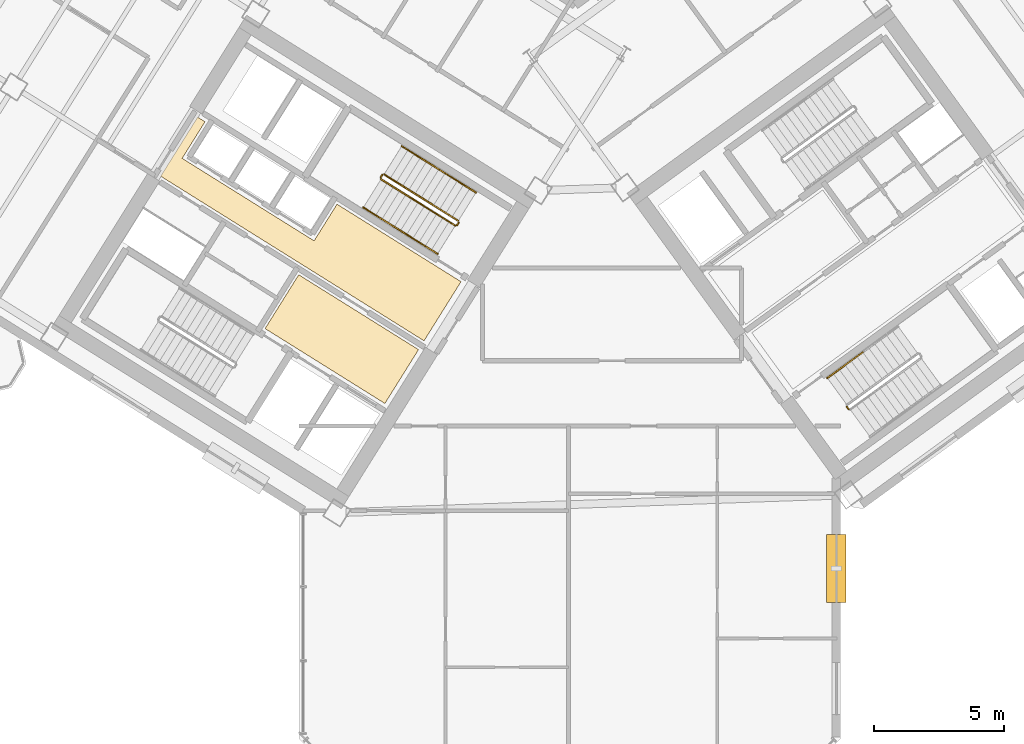
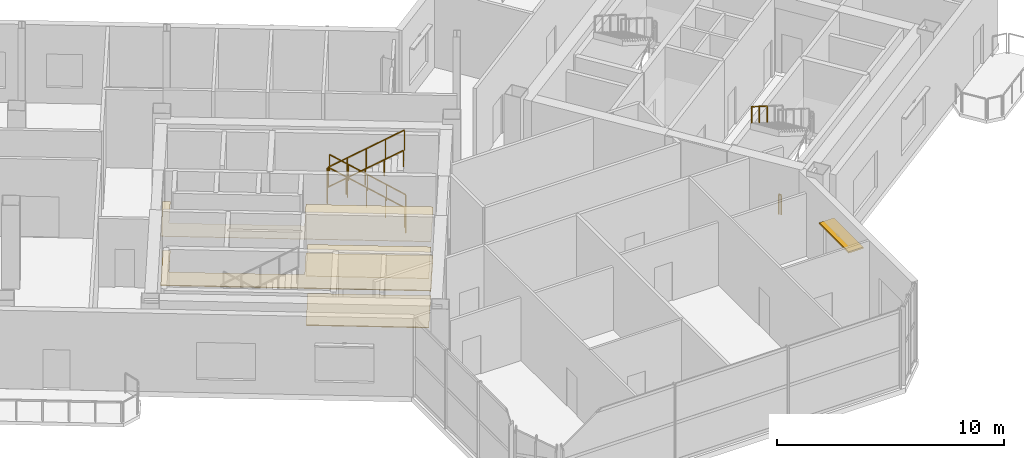
# One storey, part 18 of 20: 10 railings, 4 coverings, 1 shading device.
"""IFC4 building model written with IfcOpenShell, lengths in metres."""

import ifcopenshell
import ifcopenshell.guid

model = None  # the IFC model being written
_history = None  # IfcOwnerHistory: only IFC2X3 demands one
_inside = {}  # id of a spatial element -> (the spatial element, [elements in it])
_under = {}  # id of a project, library or spatial element -> (it, [spatial elements below it])
_declared = {}  # id of a project -> (the project, [libraries it declares])
_typed = {}  # id of a type object -> (the type object, [elements of that type])
_made_of = {}  # id of a material, layer set ... -> (it, [elements and type objects made of it])


def new_model(schema):
    """Start an empty IFC model of exactly this schema.

    Asked for "IFC4X3", IfcOpenShell would pick the latest addendum, in which some entities
    have other attributes; the version numbers below select the first issue.
    IFC2X3 requires an IfcOwnerHistory on every rooted entity: one is made here for all.
    """
    global model, _history
    if schema == "IFC4X3":
        model = ifcopenshell.file(schema_version=(4, 3, 0, 0))
    else:
        model = ifcopenshell.file(schema=schema)
    _inside.clear()
    _under.clear()
    _declared.clear()
    _typed.clear()
    _made_of.clear()
    _history = None
    if model.schema == "IFC2X3":
        org = make("IfcOrganization", Name="unknown")
        user = make(
            "IfcPersonAndOrganization",
            ThePerson=make("IfcPerson", FamilyName="unknown"),
            TheOrganization=org,
        )
        app = make(
            "IfcApplication",
            ApplicationDeveloper=org,
            Version="unknown",
            ApplicationFullName="unknown",
            ApplicationIdentifier="unknown",
        )
        _history = make(
            "IfcOwnerHistory",
            OwningUser=user,
            OwningApplication=app,
            ChangeAction="ADDED",
            CreationDate=0,
        )
    return model


def make(cls, **values):
    """One entity of the class cls with the attributes given. An attribute that is None is left unset."""
    return model.create_entity(
        cls, **{name: value for name, value in values.items() if value is not None}
    )


def rooted(cls, **values):
    """An entity with a GlobalId (a new one), such as an element, a storey or a relation."""
    return make(cls, GlobalId=ifcopenshell.guid.new(), OwnerHistory=_history, **values)


def si_unit(unit_type, name, prefix=None):
    """IfcSIUnit, for example si_unit("LENGTHUNIT", "METRE", prefix="MILLI")."""
    return make("IfcSIUnit", UnitType=unit_type, Prefix=prefix, Name=name)


def assignment(units):
    """IfcUnitAssignment: the units of a project."""
    return None if units is None else make("IfcUnitAssignment", Units=units)


def point(xyz):
    """IfcCartesianPoint."""
    return None if xyz is None else make("IfcCartesianPoint", Coordinates=xyz)


def direction(xyz):
    """IfcDirection."""
    return None if xyz is None else make("IfcDirection", DirectionRatios=xyz)


def frame(location, z_axis=None, x_axis=None):
    """IfcAxis2Placement3D, a coordinate frame: its origin and axes. An axis left out is left unset."""
    return make(
        "IfcAxis2Placement3D",
        Location=point(location),
        Axis=direction(z_axis),
        RefDirection=direction(x_axis),
    )


def frame_2d(location, x_axis=None):
    """IfcAxis2Placement2D, a coordinate frame in the plane: its origin and x axis."""
    return make(
        "IfcAxis2Placement2D", Location=point(location), RefDirection=direction(x_axis)
    )


def origin():
    """The frame at (0, 0, 0) with its axes left unset."""
    return frame((0.0, 0.0, 0.0))


def origin_2d():
    """The frame at (0, 0) in the plane with its x axis left unset."""
    return frame_2d((0.0, 0.0))


def place(relative_to, where):
    """IfcLocalPlacement: puts the frame where relative to a parent placement (None: the world)."""
    return make(
        "IfcLocalPlacement", PlacementRelTo=relative_to, RelativePlacement=where
    )


def context(
    kind, dimensions, precision=None, world=None, true_north=None, identifier=None
):
    """IfcGeometricRepresentationContext, for example the 3D "Model" context."""
    return make(
        "IfcGeometricRepresentationContext",
        ContextIdentifier=identifier,
        ContextType=kind,
        CoordinateSpaceDimension=dimensions,
        Precision=precision,
        WorldCoordinateSystem=world,
        TrueNorth=true_north,
    )


def subcontext(parent, identifier, kind, view, scale=None):
    """IfcGeometricRepresentationSubContext, for example "Body" below "Model"."""
    return make(
        "IfcGeometricRepresentationSubContext",
        ContextIdentifier=identifier,
        ContextType=kind,
        ParentContext=parent,
        TargetScale=scale,
        TargetView=view,
    )


def project(units=None, contexts=None):
    """IfcProject with its units and contexts."""
    return rooted(
        "IfcProject",
        Name="project",
        RepresentationContexts=contexts,
        UnitsInContext=assignment(units),
    )


def spatial(cls, under=None, at=None, **own):
    """A site, building, storey or space (cls), placed at a placement, below another one or the project."""
    s = rooted(cls, ObjectPlacement=at, **own)
    if under is not None:
        _under.setdefault(under.id(), (under, []))[1].append(s)
    return s


def polyline(points):
    """IfcPolyline through the points."""
    return make("IfcPolyline", Points=[point(p) for p in points])


def profile(cls, at=None, kind="AREA", **sizes):
    """A parametric profile (cls). Its sizes go by their IFC names, for example OverallWidth=200.0."""
    return make(cls, ProfileType=kind, Position=at, **sizes)


def rectangle(**sizes):
    """IfcRectangleProfileDef."""
    return profile("IfcRectangleProfileDef", **sizes)


def outline(outer, holes=None, kind="AREA"):
    """IfcArbitraryClosedProfileDef: a profile drawn as a closed curve; with holes, ...WithVoids."""
    if holes is None:
        return make("IfcArbitraryClosedProfileDef", ProfileType=kind, OuterCurve=outer)
    return make(
        "IfcArbitraryProfileDefWithVoids",
        ProfileType=kind,
        OuterCurve=outer,
        InnerCurves=holes,
    )


def extrude(swept, where, along, depth):
    """IfcExtrudedAreaSolid: the profile swept, set in the frame where, extruded along a direction by depth."""
    return make(
        "IfcExtrudedAreaSolid",
        SweptArea=swept,
        Position=where,
        ExtrudedDirection=direction(along),
        Depth=depth,
    )


def shape(context_of_items, identifier, shape_type, items):
    """IfcShapeRepresentation: the items that make up one representation, for example the "Body"."""
    return make(
        "IfcShapeRepresentation",
        ContextOfItems=context_of_items,
        RepresentationIdentifier=identifier,
        RepresentationType=shape_type,
        Items=items,
    )


def source(mapping_origin, context_of_items, identifier, shape_type, items):
    """IfcRepresentationMap: a shape defined once, which mapped items show again and again."""
    return make(
        "IfcRepresentationMap",
        MappingOrigin=mapping_origin,
        MappedRepresentation=shape(context_of_items, identifier, shape_type, items),
    )


def transform(
    local_origin,
    x_axis=None,
    y_axis=None,
    z_axis=None,
    scale=None,
    scale2=None,
    scale3=None,
    uniform=True,
):
    """IfcCartesianTransformationOperator3D, or its non-uniform kind. x_axis, y_axis, z_axis: its Axis1, 2, 3."""
    if uniform:
        return make(
            "IfcCartesianTransformationOperator3D",
            Axis1=direction(x_axis),
            Axis2=direction(y_axis),
            LocalOrigin=point(local_origin),
            Scale=scale,
            Axis3=direction(z_axis),
        )
    return make(
        "IfcCartesianTransformationOperator3DnonUniform",
        Axis1=direction(x_axis),
        Axis2=direction(y_axis),
        LocalOrigin=point(local_origin),
        Scale=scale,
        Axis3=direction(z_axis),
        Scale2=scale2,
        Scale3=scale3,
    )


def mapped(mapping_source, mapping_target):
    """IfcMappedItem: shows the shape of a source again, moved by a transform."""
    return make(
        "IfcMappedItem", MappingSource=mapping_source, MappingTarget=mapping_target
    )


def material(Name=None, Category=None):
    """IfcMaterial."""
    return make("IfcMaterial", Name=Name, Category=Category)


def layer(
    of_material, thickness, ventilated=None, Name=None, Category=None, Priority=None
):
    """IfcMaterialLayer: one layer of a wall or slab, of a material (None: an air gap)."""
    return make(
        "IfcMaterialLayer",
        Material=of_material,
        LayerThickness=thickness,
        IsVentilated=ventilated,
        Name=Name,
        Category=Category,
        Priority=Priority,
    )


def layer_set(layers, Name=None):
    """IfcMaterialLayerSet."""
    return make("IfcMaterialLayerSet", MaterialLayers=layers, LayerSetName=Name)


def made_of(thing, what):
    """Note that an element or type object is made of a material, layer set ...; save() writes the relation."""
    if what is not None:
        _made_of.setdefault(what.id(), (what, []))[1].append(thing)
    return thing


def type_object(cls, material=None, **own):
    """A type object (cls), such as IfcWallType, which elements share."""
    return made_of(rooted(cls, **own), material)


def element(
    cls,
    number,
    at=None,
    inside=None,
    cuts=None,
    type_object=None,
    material=None,
    context=None,
    identifier="Body",
    shape_type=None,
    held_by="IfcProductDefinitionShape",
    body=None,
    shapes=None,
    **own,
):
    """One element of the class cls, such as IfcWall. Its Tag is "e" and its number.

    at: its placement. inside: the storey or other place that contains it. cuts: it is an
    opening in that element (IfcRelVoidsElement). A single representation is given by context,
    identifier, shape_type and body (its items); several are given by shapes. held_by: the class
    of the entity that holds the representations. save() writes the other relations.
    """
    e = rooted(cls, Tag="e%d" % number, ObjectPlacement=at, **own)
    if body is not None:
        shapes = [shape(context, identifier, shape_type, body)]
    if shapes is not None:
        e.Representation = make(held_by, Representations=shapes)
    if inside is not None:
        _inside.setdefault(inside.id(), (inside, []))[1].append(e)
    if cuts is not None:
        rooted(
            "IfcRelVoidsElement", RelatingBuildingElement=cuts, RelatedOpeningElement=e
        )
    if type_object is not None:
        _typed.setdefault(type_object.id(), (type_object, []))[1].append(e)
    return made_of(e, material)


def aggregate(whole, parts):
    """IfcRelAggregates: a whole, such as a stair, and the parts it consists of."""
    return rooted("IfcRelAggregates", RelatingObject=whole, RelatedObjects=parts)


def save(model, path):
    """Write the relations noted so far, then the file.

    IfcRelAggregates (storeys below a building ...), IfcRelContainedInSpatialStructure (elements
    in a storey), IfcRelDefinesByType, IfcRelAssociatesMaterial and IfcRelDeclares: one each for
    every whole, place, type object, material and project.
    """
    for whole, parts in _under.values():
        aggregate(whole, parts)
    for where, things in _inside.values():
        rooted(
            "IfcRelContainedInSpatialStructure",
            RelatedElements=things,
            RelatingStructure=where,
        )
    for kind, things in _typed.values():
        rooted("IfcRelDefinesByType", RelatedObjects=things, RelatingType=kind)
    for what, things in _made_of.values():
        rooted("IfcRelAssociatesMaterial", RelatedObjects=things, RelatingMaterial=what)
    for by, libraries in _declared.values():
        rooted("IfcRelDeclares", RelatingContext=by, RelatedDefinitions=libraries)
    model.write(path)


model = new_model("IFC4")

# Units and contexts
model_context = context("Model", 3, precision=1e-05, world=origin(), true_north=direction((0.0, 1.0)))
body_context = subcontext(model_context, "Body", "Model", "MODEL_VIEW")
ifc_project = project(units=[si_unit("LENGTHUNIT", "METRE"), si_unit("AREAUNIT", "SQUARE_METRE"), si_unit("VOLUMEUNIT", "CUBIC_METRE"), si_unit("PLANEANGLEUNIT", "RADIAN"), si_unit("MASSUNIT", "GRAM", prefix="KILO")], contexts=[model_context])

# Site, building, storey
site_placement = place(None, origin())
site = spatial("IfcSite", under=ifc_project, at=site_placement, CompositionType="ELEMENT")
building_placement = place(site_placement, origin())
building = spatial("IfcBuilding", under=site, at=building_placement, Name="Tlacorven Tower", CompositionType="ELEMENT")
storey_placement = place(building_placement, frame((0.0, 0.0, 195.0)))
storey = spatial("IfcBuildingStorey", under=building, at=storey_placement, Name="L49", CompositionType="ELEMENT", Elevation=195.0)

# Coverings
ifc_material_1 = material(Name="Acoustic mineral-fibre ceiling")
ifc_layer_1 = layer(ifc_material_1, 0.02490234375)
ifc_layer_set_1 = layer_set([ifc_layer_1], Name="Acoustic mineral-fibre ceiling")
covering_type_1 = type_object("IfcCoveringType", Name="CV-CLG-ACST", PredefinedType="CEILING", material=ifc_layer_set_1)
covering_1_placement = place(storey_placement, frame((0.0, 0.0, 2.64990234375)))
element("IfcCovering", 1, at=covering_1_placement, inside=storey, type_object=covering_type_1, Name="L49 Acoustic Suspended Ceiling 1", PredefinedType="CEILING", context=body_context, shape_type="SweptSolid", body=[
    extrude(outline(polyline([(36.185302734375, 18.35595703125), (34.892333984375, 16.286865234375), (30.287353515625, 19.164306640625), (31.580322265625, 21.2333984375), (36.185302734375, 18.35595703125)])), origin(), (0.0, 0.0, 1.0), 0.025146484375),
])
covering_2_placement = place(storey_placement, frame((0.0, 0.0, 2.64990234375)))
element("IfcCovering", 2, at=covering_2_placement, inside=storey, type_object=covering_type_1, Name="L49 Acoustic Suspended Ceiling 2", PredefinedType="CEILING", context=body_context, shape_type="SweptSolid", body=[
    extrude(outline(polyline([(37.8173828125, 20.968017578125), (36.397216796875, 18.6953125), (26.271484375, 25.0224609375), (27.691650390625, 27.295166015625), (27.97998046875, 27.114990234375), (27.100341796875, 25.707275390625), (32.171630859375, 22.538330078125), (33.05126953125, 23.946044921875), (37.8173828125, 20.968017578125)])), origin(), (0.0, 0.0, 1.0), 0.025146484375),
])
ifc_material_2 = material(Name="Terrazzo and ceramic flooring")
ifc_layer_2 = layer(ifc_material_2, 0.0400390625)
ifc_layer_set_2 = layer_set([ifc_layer_2], Name="Terrazzo and ceramic flooring")
covering_type_2 = type_object("IfcCoveringType", Name="CV-FLR-TERZ", PredefinedType="FLOORING", material=ifc_layer_set_2)
covering_3_placement = place(storey_placement, origin())
element("IfcCovering", 3, at=covering_3_placement, inside=storey, type_object=covering_type_2, Name="L49 Terrazzo Floor Finish 1", PredefinedType="FLOORING", context=body_context, shape_type="SweptSolid", body=[
    extrude(outline(polyline([(36.185302734375, 18.35595703125), (34.892333984375, 16.286865234375), (30.287353515625, 19.164306640625), (31.580322265625, 21.2333984375), (36.185302734375, 18.35595703125)])), origin(), (0.0, 0.0, 1.0), 0.0400390625),
])
covering_4_placement = place(storey_placement, origin())
element("IfcCovering", 4, at=covering_4_placement, inside=storey, type_object=covering_type_2, Name="L49 Terrazzo Floor Finish 2", PredefinedType="FLOORING", context=body_context, shape_type="SweptSolid", body=[
    extrude(outline(polyline([(37.8173828125, 20.968017578125), (36.397216796875, 18.6953125), (26.271484375, 25.0224609375), (27.691650390625, 27.295166015625), (27.97998046875, 27.114990234375), (27.100341796875, 25.707275390625), (32.171630859375, 22.538330078125), (33.05126953125, 23.946044921875), (37.8173828125, 20.968017578125)])), origin(), (0.0, 0.0, 1.0), 0.0400390625),
])

# Shading device
ifc_material_3 = material(Name="Anodised bronze aluminium sunshade", Category="aluminium")
ifc_layer_3 = layer(ifc_material_3, 0.080078125)
ifc_layer_set_3 = layer_set([ifc_layer_3], Name="Anodised bronze aluminium sunshade")
shading_device_type = type_object("IfcShadingDeviceType", Name="SH-SUN-BRZ", PredefinedType="AWNING", material=ifc_layer_set_3)
shared_shape_1 = source(origin(), body_context, "Body", "SweptSolid", [
    extrude(rectangle(XDim=2.60009765625, YDim=0.75, at=origin_2d()), origin(), (0.0, 0.0, 1.0), 0.080078125),
])
shading_device_placement = place(storey_placement, frame((52.239990234375, 9.946533203125, 2.719970703125), z_axis=(0.0, 0.0, 1.0), x_axis=(0.0, -1.0, 0.0)))
element("IfcShadingDevice", 5, at=shading_device_placement, inside=storey, type_object=shading_device_type, Name="L49 Solar Brise-Soleil Sunshade L49-07.1", PredefinedType="AWNING", context=body_context, shape_type="MappedRepresentation", body=[
    mapped(shared_shape_1, transform((0.0, 0.0, 0.0), scale=1.0)),
])

# Railings
ifc_material_4 = material(Name="Aluminium and painted steel balustrade", Category="steel")
railing_type_1 = type_object("IfcRailingType", Name="RL-GRD-1100", PredefinedType="GUARDRAIL", material=ifc_material_4)
shared_shape_2 = source(origin(), body_context, "Body", "SweptSolid", [
    extrude(rectangle(XDim=0.048095703125, YDim=0.048095703125, at=origin_2d()), frame((0.0, 0.0, 1.076171875), z_axis=(-0.530546985787, -0.847655529016, 0.0), x_axis=(0.847655529016, -0.530546985787, 0.0)), (0.0, 0.0, 1.0), 0.1201171875),
    extrude(rectangle(XDim=0.0419921875, YDim=0.0419921875, at=origin_2d()), origin(), (0.0, 0.0, 1.0), 1.052001953125),
    extrude(rectangle(XDim=0.0419921875, YDim=0.0419921875, at=origin_2d()), frame((-0.063720703125, -0.101806640625, 0.0)), (0.0, 0.0, 1.0), 1.052001953125),
])
for number, where, name in (
    (6, (34.7939453125, 25.07421875, 2.25), "L49 ST-W2 stair guard 2"),
    (7, (37.728271484375, 23.24072265625, 0.0), "L49 ST-W2 stair guard 4"),
):
    element("IfcRailing", number, at=place(storey_placement, frame(where)), inside=storey, type_object=railing_type_1, Name=name, PredefinedType="GUARDRAIL", context=body_context, shape_type="MappedRepresentation", body=[
        mapped(shared_shape_2, transform((0.0, 0.0, 0.0), scale=1.0)),
    ])
shared_shape_3 = source(origin(), body_context, "Body", "SweptSolid", [
    extrude(rectangle(XDim=0.048095703125, YDim=0.048095703125, at=origin_2d()), frame((0.0, 0.0, 1.076171875), z_axis=(-0.721354668439, 0.45076168254, 0.525795918465), x_axis=(-0.529927092104, -0.84804320471, 0.0)), (0.0, 0.0, 1.0), 3.949951171875),
    extrude(rectangle(XDim=0.0419921875, YDim=0.0419921875, at=origin_2d()), origin(), (0.0, 0.0, 1.0), 1.052001953125),
    extrude(rectangle(XDim=0.0419921875, YDim=0.0419921875, at=origin_2d()), frame((-0.71240234375, 0.445068359375, 0.519287109375)), (0.0, 0.0, 1.0), 1.052001953125),
    extrude(rectangle(XDim=0.0419921875, YDim=0.0419921875, at=origin_2d()), frame((-1.4248046875, 0.89013671875, 1.03857421875)), (0.0, 0.0, 1.0), 1.052001953125),
    extrude(rectangle(XDim=0.0419921875, YDim=0.0419921875, at=origin_2d()), frame((-2.136962890625, 1.33544921875, 1.5576171875)), (0.0, 0.0, 1.0), 1.052001953125),
    extrude(rectangle(XDim=0.0419921875, YDim=0.0419921875, at=origin_2d()), frame((-2.849365234375, 1.780517578125, 2.076904296875)), (0.0, 0.0, 1.0), 1.052001953125),
])
railing_1_placement = place(storey_placement, frame((37.712158203125, 23.3095703125, 0.173095703125)))
element("IfcRailing", 8, at=railing_1_placement, inside=storey, type_object=railing_type_1, Name="L49 ST-W2 stair guard 1", PredefinedType="GUARDRAIL", context=body_context, shape_type="MappedRepresentation", body=[
    mapped(shared_shape_3, transform((0.0, 0.0, 0.0), scale=1.0)),
])
railing_type_2 = type_object("IfcRailingType", Name="RL-HND-0900", PredefinedType="HANDRAIL", material=ifc_material_4)
shared_shape_4 = source(origin(), body_context, "Body", "SweptSolid", [
    extrude(rectangle(XDim=0.048095703125, YDim=0.048095703125, at=origin_2d()), frame((0.0, 0.0, 0.8759765625), z_axis=(0.721340775611, -0.4507761838, 0.52580254617), x_axis=(0.529946692594, 0.848030956397, 0.0)), (0.0, 0.0, 1.0), 1.97509765625),
    extrude(rectangle(XDim=0.0419921875, YDim=0.0419921875, at=origin_2d()), origin(), (0.0, 0.0, 1.0), 0.851806640625),
    extrude(rectangle(XDim=0.0419921875, YDim=0.0419921875, at=origin_2d()), frame((0.71240234375, -0.4453125, 0.519287109375)), (0.0, 0.0, 1.0), 0.851806640625),
    extrude(rectangle(XDim=0.0419921875, YDim=0.0419921875, at=origin_2d()), frame((1.4248046875, -0.890380859375, 1.03857421875)), (0.0, 0.0, 1.0), 0.851806640625),
])
railing_2_placement = place(storey_placement, frame((35.49267578125, 22.927734375, 3.46142578125)))
element("IfcRailing", 9, at=railing_2_placement, inside=storey, type_object=railing_type_2, Name="L49 ST-W2 stair handrail 4", PredefinedType="HANDRAIL", context=body_context, shape_type="MappedRepresentation", body=[
    mapped(shared_shape_4, transform((0.0, 0.0, 0.0), scale=1.0)),
])
shared_shape_5 = source(origin(), body_context, "Body", "SweptSolid", [
    extrude(rectangle(XDim=0.048095703125, YDim=0.048095703125, at=origin_2d()), frame((0.0, 0.0, 0.8759765625), z_axis=(-0.721387654753, 0.450805479247, 0.525713107551), x_axis=(-0.529946692594, -0.848030956397, 0.0)), (0.0, 0.0, 1.0), 1.97509765625),
    extrude(rectangle(XDim=0.0419921875, YDim=0.0419921875, at=origin_2d()), origin(), (0.0, 0.0, 1.0), 0.851806640625),
    extrude(rectangle(XDim=0.0419921875, YDim=0.0419921875, at=origin_2d()), frame((-0.71240234375, 0.4453125, 0.51904296875)), (0.0, 0.0, 1.0), 0.851806640625),
    extrude(rectangle(XDim=0.0419921875, YDim=0.0419921875, at=origin_2d()), frame((-1.4248046875, 0.890380859375, 1.038330078125)), (0.0, 0.0, 1.0), 0.851806640625),
])
railing_3_placement = place(storey_placement, frame((38.390625, 24.39501953125, 0.173095703125)))
element("IfcRailing", 10, at=railing_3_placement, inside=storey, type_object=railing_type_2, Name="L49 ST-W2 stair handrail 1", PredefinedType="HANDRAIL", context=body_context, shape_type="MappedRepresentation", body=[
    mapped(shared_shape_5, transform((0.0, 0.0, 0.0), scale=1.0)),
])
shared_shape_6 = source(origin(), body_context, "Body", "SweptSolid", [
    extrude(rectangle(XDim=0.048095703125, YDim=0.048095703125, at=origin_2d()), frame((0.0, 0.0, 0.8759765625), z_axis=(-0.721380964259, 0.45067768946, 0.525831840637), x_axis=(-0.52984217967, -0.848096259066, 0.0)), (0.0, 0.0, 1.0), 1.97509765625),
    extrude(rectangle(XDim=0.0419921875, YDim=0.0419921875, at=origin_2d()), origin(), (0.0, 0.0, 1.0), 0.851806640625),
    extrude(rectangle(XDim=0.0419921875, YDim=0.0419921875, at=origin_2d()), frame((-0.71240234375, 0.445068359375, 0.519287109375)), (0.0, 0.0, 1.0), 0.851806640625),
    extrude(rectangle(XDim=0.0419921875, YDim=0.0419921875, at=origin_2d()), frame((-1.4248046875, 0.89013671875, 1.03857421875)), (0.0, 0.0, 1.0), 0.851806640625),
])
railing_4_placement = place(storey_placement, frame((36.9658203125, 25.285400390625, 1.21142578125)))
element("IfcRailing", 11, at=railing_4_placement, inside=storey, type_object=railing_type_2, Name="L49 ST-W2 stair handrail 2", PredefinedType="HANDRAIL", context=body_context, shape_type="MappedRepresentation", body=[
    mapped(shared_shape_6, transform((0.0, 0.0, 0.0), scale=1.0)),
])
shared_shape_7 = source(origin(), body_context, "Body", "SweptSolid", [
    extrude(rectangle(XDim=0.048095703125, YDim=0.048095703125, at=origin_2d()), frame((0.0, 0.0, 1.076171875), z_axis=(0.721354668439, -0.45076168254, 0.525795918465), x_axis=(0.529927092104, 0.84804320471, 0.0)), (0.0, 0.0, 1.0), 3.949951171875),
    extrude(rectangle(XDim=0.0419921875, YDim=0.0419921875, at=origin_2d()), origin(), (0.0, 0.0, 1.0), 1.052001953125),
    extrude(rectangle(XDim=0.0419921875, YDim=0.0419921875, at=origin_2d()), frame((0.71240234375, -0.445068359375, 0.519287109375)), (0.0, 0.0, 1.0), 1.052001953125),
    extrude(rectangle(XDim=0.0419921875, YDim=0.0419921875, at=origin_2d()), frame((1.4248046875, -0.89013671875, 1.03857421875)), (0.0, 0.0, 1.0), 1.052001953125),
    extrude(rectangle(XDim=0.0419921875, YDim=0.0419921875, at=origin_2d()), frame((2.136962890625, -1.33544921875, 1.5576171875)), (0.0, 0.0, 1.0), 1.052001953125),
    extrude(rectangle(XDim=0.0419921875, YDim=0.0419921875, at=origin_2d()), frame((2.849365234375, -1.780517578125, 2.076904296875)), (0.0, 0.0, 1.0), 1.052001953125),
])
railing_5_placement = place(storey_placement, frame((34.746337890625, 24.903564453125, 2.423095703125)))
element("IfcRailing", 12, at=railing_5_placement, inside=storey, type_object=railing_type_1, Name="L49 ST-W2 stair guard 3", PredefinedType="GUARDRAIL", context=body_context, shape_type="MappedRepresentation", body=[
    mapped(shared_shape_7, transform((0.0, 0.0, 0.0), scale=1.0)),
])
shared_shape_8 = source(origin(), body_context, "Body", "SweptSolid", [
    extrude(rectangle(XDim=0.048095703125, YDim=0.048095703125, at=origin_2d()), frame((0.0, 0.0, 0.8759765625), z_axis=(0.721427851237, -0.45070698177, 0.525742400842), x_axis=(0.52984217967, 0.848096259066, 0.0)), (0.0, 0.0, 1.0), 1.97509765625),
    extrude(rectangle(XDim=0.0419921875, YDim=0.0419921875, at=origin_2d()), origin(), (0.0, 0.0, 1.0), 0.851806640625),
    extrude(rectangle(XDim=0.0419921875, YDim=0.0419921875, at=origin_2d()), frame((0.71240234375, -0.445068359375, 0.51904296875)), (0.0, 0.0, 1.0), 0.851806640625),
    extrude(rectangle(XDim=0.0419921875, YDim=0.0419921875, at=origin_2d()), frame((1.4248046875, -0.89013671875, 1.038330078125)), (0.0, 0.0, 1.0), 0.851806640625),
])
railing_6_placement = place(storey_placement, frame((34.06787109375, 23.81787109375, 2.423095703125)))
element("IfcRailing", 13, at=railing_6_placement, inside=storey, type_object=railing_type_2, Name="L49 ST-W2 stair handrail 3", PredefinedType="HANDRAIL", context=body_context, shape_type="MappedRepresentation", body=[
    mapped(shared_shape_8, transform((0.0, 0.0, 0.0), scale=1.0)),
])
shared_shape_9 = source(origin(), body_context, "Body", "SweptSolid", [
    extrude(rectangle(XDim=0.048095703125, YDim=0.048095703125, at=origin_2d()), frame((0.0, 0.0, 1.076171875), z_axis=(-0.587567097037, 0.809175448515, 0.0), x_axis=(-0.809175448515, -0.587567097037, 0.0)), (0.0, 0.0, 1.0), 0.1201171875),
    extrude(rectangle(XDim=0.0419921875, YDim=0.0419921875, at=origin_2d()), origin(), (0.0, 0.0, 1.0), 1.052001953125),
    extrude(rectangle(XDim=0.0419921875, YDim=0.0419921875, at=origin_2d()), frame((-0.070556640625, 0.09716796875, 0.0)), (0.0, 0.0, 1.0), 1.052001953125),
])
railing_7_placement = place(storey_placement, frame((52.71142578125, 16.065673828125, 0.0)))
element("IfcRailing", 14, at=railing_7_placement, inside=storey, type_object=railing_type_1, Name="L49 ST-E2 stair guard 4", PredefinedType="GUARDRAIL", context=body_context, shape_type="MappedRepresentation", body=[
    mapped(shared_shape_9, transform((0.0, 0.0, 0.0), scale=1.0)),
])
shared_shape_10 = source(origin(), body_context, "Body", "SweptSolid", [
    extrude(rectangle(XDim=0.048095703125, YDim=0.048095703125, at=origin_2d()), frame((0.0, 0.0, 0.8759765625), z_axis=(-0.688123352181, -0.499992627909, 0.525826610414), x_axis=(0.587817375869, -0.808993654256, 0.0)), (0.0, 0.0, 1.0), 1.97509765625),
    extrude(rectangle(XDim=0.0419921875, YDim=0.0419921875, at=origin_2d()), origin(), (0.0, 0.0, 1.0), 0.851806640625),
    extrude(rectangle(XDim=0.0419921875, YDim=0.0419921875, at=origin_2d()), frame((-0.6796875, -0.49365234375, 0.519287109375)), (0.0, 0.0, 1.0), 0.851806640625),
    extrude(rectangle(XDim=0.0419921875, YDim=0.0419921875, at=origin_2d()), frame((-1.359130859375, -0.987548828125, 1.03857421875)), (0.0, 0.0, 1.0), 0.851806640625),
])
railing_8_placement = place(storey_placement, frame((53.2587890625, 18.255615234375, 3.46142578125)))
element("IfcRailing", 15, at=railing_8_placement, inside=storey, type_object=railing_type_2, Name="L49 ST-E2 stair handrail 4", PredefinedType="HANDRAIL", context=body_context, shape_type="MappedRepresentation", body=[
    mapped(shared_shape_10, transform((0.0, 0.0, 0.0), scale=1.0)),
])

save(model, "model.ifc")
